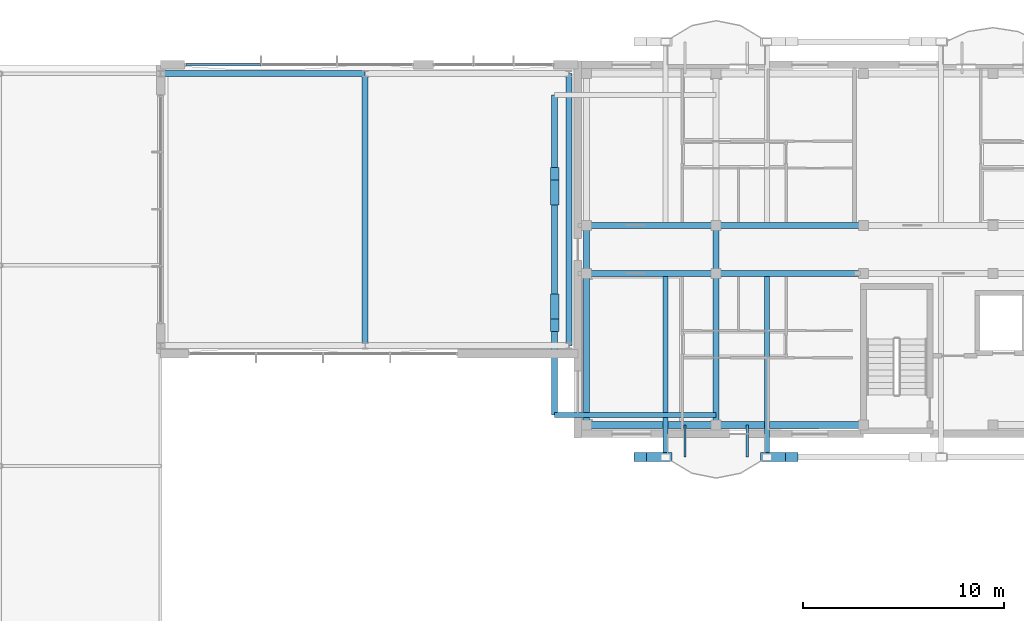
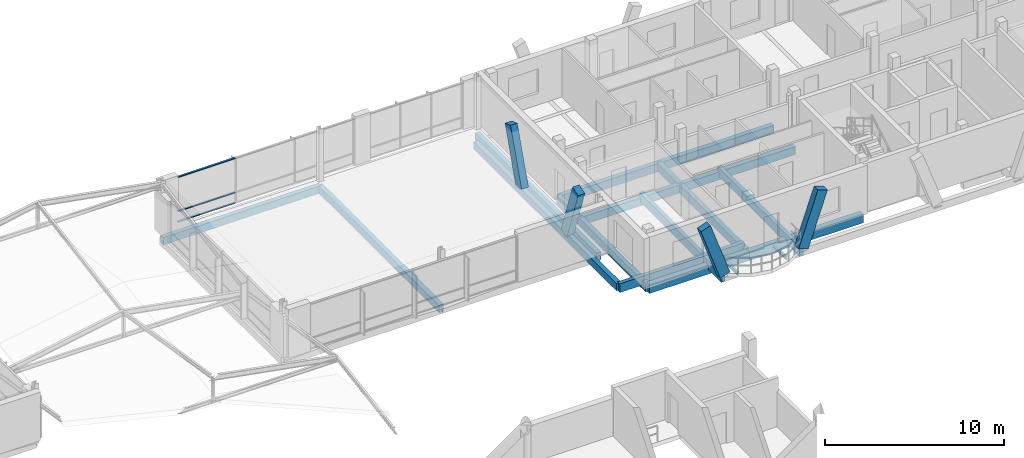
# One storey, part 103 of 189: 19 beams, 7 members, 1 element without a shape of its own.
"""IFC4 building model written with IfcOpenShell, lengths in metres."""

import ifcopenshell
import ifcopenshell.guid

model = None  # the IFC model being written
_history = None  # IfcOwnerHistory: only IFC2X3 demands one
_inside = {}  # id of a spatial element -> (the spatial element, [elements in it])
_under = {}  # id of a project, library or spatial element -> (it, [spatial elements below it])
_declared = {}  # id of a project -> (the project, [libraries it declares])
_typed = {}  # id of a type object -> (the type object, [elements of that type])
_made_of = {}  # id of a material, layer set ... -> (it, [elements and type objects made of it])


def new_model(schema):
    """Start an empty IFC model of exactly this schema.

    Asked for "IFC4X3", IfcOpenShell would pick the latest addendum, in which some entities
    have other attributes; the version numbers below select the first issue.
    IFC2X3 requires an IfcOwnerHistory on every rooted entity: one is made here for all.
    """
    global model, _history
    if schema == "IFC4X3":
        model = ifcopenshell.file(schema_version=(4, 3, 0, 0))
    else:
        model = ifcopenshell.file(schema=schema)
    _inside.clear()
    _under.clear()
    _declared.clear()
    _typed.clear()
    _made_of.clear()
    _history = None
    if model.schema == "IFC2X3":
        org = make("IfcOrganization", Name="unknown")
        user = make(
            "IfcPersonAndOrganization",
            ThePerson=make("IfcPerson", FamilyName="unknown"),
            TheOrganization=org,
        )
        app = make(
            "IfcApplication",
            ApplicationDeveloper=org,
            Version="unknown",
            ApplicationFullName="unknown",
            ApplicationIdentifier="unknown",
        )
        _history = make(
            "IfcOwnerHistory",
            OwningUser=user,
            OwningApplication=app,
            ChangeAction="ADDED",
            CreationDate=0,
        )
    return model


def make(cls, **values):
    """One entity of the class cls with the attributes given. An attribute that is None is left unset."""
    return model.create_entity(
        cls, **{name: value for name, value in values.items() if value is not None}
    )


def rooted(cls, **values):
    """An entity with a GlobalId (a new one), such as an element, a storey or a relation."""
    return make(cls, GlobalId=ifcopenshell.guid.new(), OwnerHistory=_history, **values)


def si_unit(unit_type, name, prefix=None):
    """IfcSIUnit, for example si_unit("LENGTHUNIT", "METRE", prefix="MILLI")."""
    return make("IfcSIUnit", UnitType=unit_type, Prefix=prefix, Name=name)


def assignment(units):
    """IfcUnitAssignment: the units of a project."""
    return None if units is None else make("IfcUnitAssignment", Units=units)


def point(xyz):
    """IfcCartesianPoint."""
    return None if xyz is None else make("IfcCartesianPoint", Coordinates=xyz)


def direction(xyz):
    """IfcDirection."""
    return None if xyz is None else make("IfcDirection", DirectionRatios=xyz)


def frame(location, z_axis=None, x_axis=None):
    """IfcAxis2Placement3D, a coordinate frame: its origin and axes. An axis left out is left unset."""
    return make(
        "IfcAxis2Placement3D",
        Location=point(location),
        Axis=direction(z_axis),
        RefDirection=direction(x_axis),
    )


def frame_2d(location, x_axis=None):
    """IfcAxis2Placement2D, a coordinate frame in the plane: its origin and x axis."""
    return make(
        "IfcAxis2Placement2D", Location=point(location), RefDirection=direction(x_axis)
    )


def origin():
    """The frame at (0, 0, 0) with its axes left unset."""
    return frame((0.0, 0.0, 0.0))


def origin_2d():
    """The frame at (0, 0) in the plane with its x axis left unset."""
    return frame_2d((0.0, 0.0))


def place(relative_to, where):
    """IfcLocalPlacement: puts the frame where relative to a parent placement (None: the world)."""
    return make(
        "IfcLocalPlacement", PlacementRelTo=relative_to, RelativePlacement=where
    )


def context(
    kind, dimensions, precision=None, world=None, true_north=None, identifier=None
):
    """IfcGeometricRepresentationContext, for example the 3D "Model" context."""
    return make(
        "IfcGeometricRepresentationContext",
        ContextIdentifier=identifier,
        ContextType=kind,
        CoordinateSpaceDimension=dimensions,
        Precision=precision,
        WorldCoordinateSystem=world,
        TrueNorth=true_north,
    )


def subcontext(parent, identifier, kind, view, scale=None):
    """IfcGeometricRepresentationSubContext, for example "Body" below "Model"."""
    return make(
        "IfcGeometricRepresentationSubContext",
        ContextIdentifier=identifier,
        ContextType=kind,
        ParentContext=parent,
        TargetScale=scale,
        TargetView=view,
    )


def project(units=None, contexts=None):
    """IfcProject with its units and contexts."""
    return rooted(
        "IfcProject",
        Name="project",
        RepresentationContexts=contexts,
        UnitsInContext=assignment(units),
    )


def spatial(cls, under=None, at=None, **own):
    """A site, building, storey or space (cls), placed at a placement, below another one or the project."""
    s = rooted(cls, ObjectPlacement=at, **own)
    if under is not None:
        _under.setdefault(under.id(), (under, []))[1].append(s)
    return s


def profile(cls, at=None, kind="AREA", **sizes):
    """A parametric profile (cls). Its sizes go by their IFC names, for example OverallWidth=200.0."""
    return make(cls, ProfileType=kind, Position=at, **sizes)


def rectangle(**sizes):
    """IfcRectangleProfileDef."""
    return profile("IfcRectangleProfileDef", **sizes)


def hollow_rectangle(**sizes):
    """IfcRectangleHollowProfileDef."""
    return profile("IfcRectangleHollowProfileDef", **sizes)


def i_section(**sizes):
    """IfcIShapeProfileDef."""
    return profile("IfcIShapeProfileDef", **sizes)


def extrude(swept, where, along, depth):
    """IfcExtrudedAreaSolid: the profile swept, set in the frame where, extruded along a direction by depth."""
    return make(
        "IfcExtrudedAreaSolid",
        SweptArea=swept,
        Position=where,
        ExtrudedDirection=direction(along),
        Depth=depth,
    )


def shape(context_of_items, identifier, shape_type, items):
    """IfcShapeRepresentation: the items that make up one representation, for example the "Body"."""
    return make(
        "IfcShapeRepresentation",
        ContextOfItems=context_of_items,
        RepresentationIdentifier=identifier,
        RepresentationType=shape_type,
        Items=items,
    )


def material(Name=None, Category=None):
    """IfcMaterial."""
    return make("IfcMaterial", Name=Name, Category=Category)


def material_profile(
    of_material, cross_section, Name=None, Category=None, Priority=None
):
    """IfcMaterialProfile: a cross section and its material."""
    return make(
        "IfcMaterialProfile",
        Name=Name,
        Material=of_material,
        Profile=cross_section,
        Priority=Priority,
        Category=Category,
    )


def profile_set(profiles, Name=None, composite=None):
    """IfcMaterialProfileSet."""
    return make(
        "IfcMaterialProfileSet",
        Name=Name,
        MaterialProfiles=profiles,
        CompositeProfile=composite,
    )


def made_of(thing, what):
    """Note that an element or type object is made of a material, layer set ...; save() writes the relation."""
    if what is not None:
        _made_of.setdefault(what.id(), (what, []))[1].append(thing)
    return thing


def type_object(cls, material=None, **own):
    """A type object (cls), such as IfcWallType, which elements share."""
    return made_of(rooted(cls, **own), material)


def element(
    cls,
    number,
    at=None,
    inside=None,
    cuts=None,
    type_object=None,
    material=None,
    context=None,
    identifier="Body",
    shape_type=None,
    held_by="IfcProductDefinitionShape",
    body=None,
    shapes=None,
    **own,
):
    """One element of the class cls, such as IfcWall. Its Tag is "e" and its number.

    at: its placement. inside: the storey or other place that contains it. cuts: it is an
    opening in that element (IfcRelVoidsElement). A single representation is given by context,
    identifier, shape_type and body (its items); several are given by shapes. held_by: the class
    of the entity that holds the representations. save() writes the other relations.
    """
    e = rooted(cls, Tag="e%d" % number, ObjectPlacement=at, **own)
    if body is not None:
        shapes = [shape(context, identifier, shape_type, body)]
    if shapes is not None:
        e.Representation = make(held_by, Representations=shapes)
    if inside is not None:
        _inside.setdefault(inside.id(), (inside, []))[1].append(e)
    if cuts is not None:
        rooted(
            "IfcRelVoidsElement", RelatingBuildingElement=cuts, RelatedOpeningElement=e
        )
    if type_object is not None:
        _typed.setdefault(type_object.id(), (type_object, []))[1].append(e)
    return made_of(e, material)


def aggregate(whole, parts):
    """IfcRelAggregates: a whole, such as a stair, and the parts it consists of."""
    return rooted("IfcRelAggregates", RelatingObject=whole, RelatedObjects=parts)


def save(model, path):
    """Write the relations noted so far, then the file.

    IfcRelAggregates (storeys below a building ...), IfcRelContainedInSpatialStructure (elements
    in a storey), IfcRelDefinesByType, IfcRelAssociatesMaterial and IfcRelDeclares: one each for
    every whole, place, type object, material and project.
    """
    for whole, parts in _under.values():
        aggregate(whole, parts)
    for where, things in _inside.values():
        rooted(
            "IfcRelContainedInSpatialStructure",
            RelatedElements=things,
            RelatingStructure=where,
        )
    for kind, things in _typed.values():
        rooted("IfcRelDefinesByType", RelatedObjects=things, RelatingType=kind)
    for what, things in _made_of.values():
        rooted("IfcRelAssociatesMaterial", RelatedObjects=things, RelatingMaterial=what)
    for by, libraries in _declared.values():
        rooted("IfcRelDeclares", RelatingContext=by, RelatedDefinitions=libraries)
    model.write(path)


model = new_model("IFC4")

# Units and contexts
model_context = context("Model", 3, precision=1e-05, world=origin(), true_north=direction((0.0, 1.0)))
body_context = subcontext(model_context, "Body", "Model", "MODEL_VIEW")
ifc_project = project(units=[si_unit("LENGTHUNIT", "METRE"), si_unit("AREAUNIT", "SQUARE_METRE"), si_unit("VOLUMEUNIT", "CUBIC_METRE"), si_unit("PLANEANGLEUNIT", "RADIAN"), si_unit("MASSUNIT", "GRAM", prefix="KILO")], contexts=[model_context])

# Site, building, storey
site_placement = place(None, origin())
site = spatial("IfcSite", under=ifc_project, at=site_placement, CompositionType="ELEMENT")
building_placement = place(site_placement, origin())
building = spatial("IfcBuilding", under=site, at=building_placement, Name="Zavelmont Quarter", CompositionType="ELEMENT")
storey_placement = place(building_placement, frame((0.0, 0.0, 4.39990234375)))
storey = spatial("IfcBuildingStorey", under=building, at=storey_placement, Name="L01", CompositionType="ELEMENT", Elevation=4.39990234375)

# Beams
ifc_material_1 = material(Name="Concrete C35/45", Category="concrete")
ifc_material_profile_1 = material_profile(ifc_material_1, rectangle(XDim=0.35009765625, YDim=0.60009765625, at=origin_2d()), Name="RC350X600")
ifc_profile_set_1 = profile_set([ifc_material_profile_1], Name="Concrete C35/45")
beam_type_1 = type_object("IfcBeamType", Name="BM01", PredefinedType="SPANDREL", material=ifc_profile_set_1)
beam_1_placement = place(storey_placement, frame((113.239990234375, 98.0400390625, -0.579833984375), z_axis=(1.0, 0.0, 0.0), x_axis=(0.0, 1.0, 0.0)))
element("IfcBeam", 1, at=beam_1_placement, inside=storey, type_object=beam_type_1, Name="L01 beam BM01 17/P to 18/P", PredefinedType="SPANDREL", context=body_context, shape_type="SweptSolid", body=[
    extrude(rectangle(XDim=0.35009765625, YDim=0.60009765625, at=origin_2d()), origin(), (0.0, 0.0, 1.0), 6.4599609375),
])
beam_2_placement = place(storey_placement, frame((119.699951171875, 98.0400390625, -0.579833984375), z_axis=(1.0, 0.0, 0.0), x_axis=(0.0, 1.0, 0.0)))
element("IfcBeam", 2, at=beam_2_placement, inside=storey, type_object=beam_type_1, Name="L01 beam BM01 18/P to 19/P", PredefinedType="SPANDREL", context=body_context, shape_type="SweptSolid", body=[
    extrude(rectangle(XDim=0.35009765625, YDim=0.60009765625, at=origin_2d()), origin(), (0.0, 0.0, 1.0), 7.340087890625),
])
ifc_material_profile_2 = material_profile(ifc_material_1, rectangle(XDim=0.300048828125, YDim=0.550048828125, at=origin_2d()), Name="RC300X550")
ifc_profile_set_2 = profile_set([ifc_material_profile_2], Name="Concrete C35/45")
beam_type_2 = type_object("IfcBeamType", Name="BM02", PredefinedType="SPANDREL", material=ifc_profile_set_2)
beam_3_placement = place(storey_placement, frame((113.239990234375, 105.60009765625, -0.554931640625), z_axis=(1.0, 0.0, 0.0), x_axis=(0.0, 1.0, 0.0)))
element("IfcBeam", 3, at=beam_3_placement, inside=storey, type_object=beam_type_2, Name="L01 beam BM02 17/Q to 18/Q", PredefinedType="SPANDREL", context=body_context, shape_type="SweptSolid", body=[
    extrude(rectangle(XDim=0.300048828125, YDim=0.550048828125, at=origin_2d()), origin(), (0.0, 0.0, 1.0), 6.4599609375),
])
beam_4_placement = place(storey_placement, frame((119.699951171875, 105.60009765625, -0.554931640625), z_axis=(1.0, 0.0, 0.0), x_axis=(0.0, 1.0, 0.0)))
element("IfcBeam", 4, at=beam_4_placement, inside=storey, type_object=beam_type_2, Name="L01 beam BM02 18/Q to 19/Q", PredefinedType="SPANDREL", context=body_context, shape_type="SweptSolid", body=[
    extrude(rectangle(XDim=0.300048828125, YDim=0.550048828125, at=origin_2d()), origin(), (0.0, 0.0, 1.0), 7.340087890625),
])
beam_5_placement = place(storey_placement, frame((113.239990234375, 108.0, -0.554931640625), z_axis=(1.0, 0.0, 0.0), x_axis=(0.0, 1.0, 0.0)))
element("IfcBeam", 5, at=beam_5_placement, inside=storey, type_object=beam_type_2, Name="L01 beam BM02 17/R to 18/R", PredefinedType="SPANDREL", context=body_context, shape_type="SweptSolid", body=[
    extrude(rectangle(XDim=0.300048828125, YDim=0.550048828125, at=origin_2d()), origin(), (0.0, 0.0, 1.0), 6.4599609375),
])
beam_6_placement = place(storey_placement, frame((119.699951171875, 108.0, -0.554931640625), z_axis=(1.0, 0.0, 0.0), x_axis=(0.0, 1.0, 0.0)))
element("IfcBeam", 6, at=beam_6_placement, inside=storey, type_object=beam_type_2, Name="L01 beam BM02 18/R to 19/R", PredefinedType="SPANDREL", context=body_context, shape_type="SweptSolid", body=[
    extrude(rectangle(XDim=0.300048828125, YDim=0.550048828125, at=origin_2d()), origin(), (0.0, 0.0, 1.0), 7.340087890625),
])
beam_7_placement = place(storey_placement, frame((113.239990234375, 98.0400390625, -0.554931640625), z_axis=(0.0, 1.0, 0.0), x_axis=(-1.0, 0.0, 0.0)))
element("IfcBeam", 7, at=beam_7_placement, inside=storey, type_object=beam_type_2, Name="L01 beam BM02 17/P to 17/Q", PredefinedType="SPANDREL", context=body_context, shape_type="SweptSolid", body=[
    extrude(rectangle(XDim=0.300048828125, YDim=0.550048828125, at=origin_2d()), origin(), (0.0, 0.0, 1.0), 7.56005859375),
])
beam_8_placement = place(storey_placement, frame((113.239990234375, 105.60009765625, -0.554931640625), z_axis=(0.0, 1.0, 0.0), x_axis=(-1.0, 0.0, 0.0)))
element("IfcBeam", 8, at=beam_8_placement, inside=storey, type_object=beam_type_2, Name="L01 beam BM02 17/Q to 17/R", PredefinedType="SPANDREL", context=body_context, shape_type="SweptSolid", body=[
    extrude(rectangle(XDim=0.300048828125, YDim=0.550048828125, at=origin_2d()), origin(), (0.0, 0.0, 1.0), 2.39990234375),
])
beam_9_placement = place(storey_placement, frame((119.699951171875, 98.0400390625, -0.554931640625), z_axis=(0.0, 1.0, 0.0), x_axis=(-1.0, 0.0, 0.0)))
element("IfcBeam", 9, at=beam_9_placement, inside=storey, type_object=beam_type_2, Name="L01 beam BM02 18/P to 18/Q", PredefinedType="SPANDREL", context=body_context, shape_type="SweptSolid", body=[
    extrude(rectangle(XDim=0.300048828125, YDim=0.550048828125, at=origin_2d()), origin(), (0.0, 0.0, 1.0), 7.56005859375),
])
beam_10_placement = place(storey_placement, frame((119.699951171875, 105.60009765625, -0.554931640625), z_axis=(0.0, 1.0, 0.0), x_axis=(-1.0, 0.0, 0.0)))
element("IfcBeam", 10, at=beam_10_placement, inside=storey, type_object=beam_type_2, Name="L01 beam BM02 18/Q to 18/R", PredefinedType="SPANDREL", context=body_context, shape_type="SweptSolid", body=[
    extrude(rectangle(XDim=0.300048828125, YDim=0.550048828125, at=origin_2d()), origin(), (0.0, 0.0, 1.0), 2.39990234375),
])
ifc_material_profile_3 = material_profile(ifc_material_1, rectangle(XDim=0.300048828125, YDim=0.5, at=origin_2d()), Name="RC300X500")
ifc_profile_set_3 = profile_set([ifc_material_profile_3], Name="Concrete C35/45")
beam_type_3 = type_object("IfcBeamType", Name="BM03", PredefinedType="BEAM", material=ifc_profile_set_3)
beam_11_placement = place(storey_placement, frame((92.0, 115.56005859375, -0.52978515625), z_axis=(1.0, 0.0, 0.0), x_axis=(0.0, 1.0, 0.0)))
element("IfcBeam", 11, at=beam_11_placement, inside=storey, type_object=beam_type_3, Name="L01 beam BM03 14/S to 16/S", PredefinedType="BEAM", context=body_context, shape_type="SweptSolid", body=[
    extrude(rectangle(XDim=0.300048828125, YDim=0.5, at=origin_2d()), origin(), (0.0, 0.0, 1.0), 10.199951171875),
])
for number, where, z_axis, x_axis, name in (
    (12, (102.199951171875, 102.0, -0.52978515625), (0.0, 1.0, 0.0), (-1.0, 0.0, 0.0), "L01 beam BM03 16/Q to 16/S"),
    (13, (112.360107421875, 102.0, -0.52978515625), (0.0, 1.0, 0.0), (-1.0, 0.0, 0.0), "L01 beam BM03 17/Q to 17/S"),
):
    element("IfcBeam", number, at=place(storey_placement, frame(where, z_axis=z_axis, x_axis=x_axis)), inside=storey, type_object=beam_type_3, Name=name, PredefinedType="BEAM", context=body_context, shape_type="SweptSolid", body=[
        extrude(rectangle(XDim=0.300048828125, YDim=0.5, at=origin_2d()), origin(), (0.0, 0.0, 1.0), 13.56005859375),
    ])
beam_12_placement = place(storey_placement, frame((111.64990234375, 98.550048828125, -0.25), z_axis=(0.0, 1.0, 0.0), x_axis=(-1.0, 0.0, 0.0)))
element("IfcBeam", 14, at=beam_12_placement, inside=storey, type_object=beam_type_3, Name="L01 beam BM03 17/P to 17/S", PredefinedType="BEAM", context=body_context, shape_type="SweptSolid", body=[
    extrude(rectangle(XDim=0.300048828125, YDim=0.5, at=origin_2d()), origin(), (0.0, 0.0, 1.0), 15.949951171875),
])
ifc_material_2 = material(Name="Steel S355", Category="steel")
ifc_material_profile_4 = material_profile(ifc_material_2, i_section(OverallWidth=0.110107421875, OverallDepth=0.219970703125, WebThickness=0.005859375, FlangeThickness=0.00927734375, at=origin_2d()), Name="IPE 220")
ifc_profile_set_4 = profile_set([ifc_material_profile_4], Name="Steel S355")
beam_type_4 = type_object("IfcBeamType", Name="BM15", PredefinedType="JOIST", material=ifc_profile_set_4)
for number, where, z_axis, x_axis, name in (
    (15, (118.14990234375, 98.0400390625, -0.391845703125), (0.0, -1.0, 0.0), (1.0, 0.0, 0.0), "L01 beam BM15 18/P to 18/P"),
    (16, (121.25, 98.0400390625, -0.391845703125), (0.0, -1.0, 0.0), (1.0, 0.0, 0.0), "L01 beam BM15 18/P to 18/P"),
):
    element("IfcBeam", number, at=place(storey_placement, frame(where, z_axis=z_axis, x_axis=x_axis)), inside=storey, type_object=beam_type_4, Name=name, PredefinedType="JOIST", context=body_context, shape_type="SweptSolid", body=[
        extrude(i_section(OverallWidth=0.110107421875, OverallDepth=0.219970703125, WebThickness=0.005859375, FlangeThickness=0.00927734375, at=origin_2d()), origin(), (0.0, 0.0, 1.0), 1.590087890625),
    ])
ifc_material_3 = material(Name="Concrete C40/50", Category="concrete")
ifc_material_profile_5 = material_profile(ifc_material_3, rectangle(XDim=0.25, YDim=0.60009765625, at=origin_2d()), Name="RC250X600")
ifc_profile_set_5 = profile_set([ifc_material_profile_5], Name="Concrete C40/50")
beam_type_5 = type_object("IfcBeamType", Name="BM18", PredefinedType="BEAM", material=ifc_profile_set_5)
for number, where, z_axis, x_axis, name in (
    (17, (117.17333984375, 105.60009765625, -0.2998046875), (0.0, -1.0, 0.0), (1.0, 0.0, 0.0), "L01 beam BM18 18/Q to 18/P"),
    (18, (122.2265625, 105.60009765625, -0.2998046875), (0.0, -1.0, 0.0), (1.0, 0.0, 0.0), "L01 beam BM18 18/Q to 18/P"),
):
    element("IfcBeam", number, at=place(storey_placement, frame(where, z_axis=z_axis, x_axis=x_axis)), inside=storey, type_object=beam_type_5, Name=name, PredefinedType="BEAM", context=body_context, shape_type="SweptSolid", body=[
        extrude(rectangle(XDim=0.25, YDim=0.60009765625, at=origin_2d()), origin(), (0.0, 0.0, 1.0), 9.150146484375),
    ])
beam_13_placement = place(storey_placement, frame((119.699951171875, 98.550048828125, -0.2998046875), z_axis=(-1.0, 0.0, 0.0), x_axis=(0.0, -1.0, 0.0)))
element("IfcBeam", 19, at=beam_13_placement, inside=storey, type_object=beam_type_5, Name="L01 beam BM18 18/P to 17/P", PredefinedType="BEAM", context=body_context, shape_type="SweptSolid", body=[
    extrude(rectangle(XDim=0.25, YDim=0.60009765625, at=origin_2d()), origin(), (0.0, 0.0, 1.0), 8.050048828125),
])

# Curtain wall, members
ifc_material_4 = material(Name="Thermally broken aluminium and double low-E safety glazing", Category="aluminium")
curtain_wall_type = type_object("IfcCurtainWallType", Name="CW-1140X310", PredefinedType="NOTDEFINED", material=ifc_material_4)
curtain_wall_placement = place(storey_placement, origin())
curtain_wall = element("IfcCurtainWall", 20, at=curtain_wall_placement, inside=storey, type_object=curtain_wall_type, Name="L01 unitised curtain wall CW-1140X310", PredefinedType="NOTDEFINED")
ifc_material_5 = material(Name="Powder-coated aluminium EN AW-6063-T6", Category="aluminium")
ifc_material_profile_6 = material_profile(ifc_material_5, hollow_rectangle(XDim=0.1201171875, YDim=0.06005859375, WallThickness=0.00390625, at=origin_2d()), Name="CWT60X120")
ifc_profile_set_6 = profile_set([ifc_material_profile_6], Name="Powder-coated aluminium EN AW-6063-T6")
member_type_1 = type_object("IfcMemberType", Name="CWT01", PredefinedType="NOTDEFINED", material=ifc_profile_set_6)
member_1_placement = place(storey_placement, frame((93.260009765625, 116.0, 0.030029296875), z_axis=(1.0, 0.0, 0.0), x_axis=(0.0, 1.0, 0.0)))
member_1 = element("IfcMember", 21, at=member_1_placement, type_object=member_type_1, Name="CW-1140X310 transom 1.1", ObjectType="TRANSOM", PredefinedType="USERDEFINED", context=body_context, shape_type="SweptSolid", body=[
    extrude(hollow_rectangle(XDim=0.1201171875, YDim=0.06005859375, WallThickness=0.00390625, at=origin_2d()), origin(), (0.0, 0.0, 1.0), 3.7099609375),
])
member_2_placement = place(storey_placement, frame((93.260009765625, 116.0, 0.744140625), z_axis=(1.0, 0.0, 0.0), x_axis=(0.0, 1.0, 0.0)))
member_2 = element("IfcMember", 22, at=member_2_placement, type_object=member_type_1, Name="CW-1140X310 transom 1.2", ObjectType="TRANSOM", PredefinedType="USERDEFINED", context=body_context, shape_type="SweptSolid", body=[
    extrude(hollow_rectangle(XDim=0.1201171875, YDim=0.06005859375, WallThickness=0.00390625, at=origin_2d()), origin(), (0.0, 0.0, 1.0), 3.7099609375),
])
member_3_placement = place(storey_placement, frame((93.260009765625, 116.0, 3.070068359375), z_axis=(1.0, 0.0, 0.0), x_axis=(0.0, 1.0, 0.0)))
member_3 = element("IfcMember", 23, at=member_3_placement, type_object=member_type_1, Name="CW-1140X310 transom 1.3", ObjectType="TRANSOM", PredefinedType="USERDEFINED", context=body_context, shape_type="SweptSolid", body=[
    extrude(hollow_rectangle(XDim=0.1201171875, YDim=0.06005859375, WallThickness=0.00390625, at=origin_2d()), origin(), (0.0, 0.0, 1.0), 3.7099609375),
])
aggregate(curtain_wall, [member_1, member_2, member_3])

# Members
ifc_material_6 = material(Name="White architectural precast concrete C40/50", Category="concrete")
ifc_material_profile_7 = material_profile(ifc_material_6, rectangle(XDim=0.43994140625, YDim=0.659912109375, at=origin_2d()), Name="PCR320X480")
ifc_profile_set_7 = profile_set([ifc_material_profile_7], Name="White architectural precast concrete C40/50")
member_type_2 = type_object("IfcMemberType", Name="VR01M", PredefinedType="CHORD", material=ifc_profile_set_7)
for number, where, z_axis, x_axis, name in (
    (24, (117.17333984375, 96.449951171875, 0.0), (-0.327431859499, 0.0, 0.944874794555), (0.0, -1.0, 0.0), "L01 member VR01M 18/P to 17/P"),
    (25, (122.2265625, 96.449951171875, 0.0), (0.327431859499, 0.0, 0.944874794555), (0.0, 1.0, 0.0), "L01 member VR01M 18/P to 19/P"),
    (26, (111.64990234375, 104.2734375, 0.0), (0.0, -0.327431859499, 0.944874794555), (1.0, 0.0, 0.0), "L01 member VR01M 17/Q to 17/Q"),
    (27, (111.64990234375, 109.32666015625, 0.0), (0.0, 0.327431859499, 0.944874794555), (-1.0, 0.0, 0.0), "L01 member VR01M 17/R to 17/R"),
):
    element("IfcMember", number, at=place(storey_placement, frame(where, z_axis=z_axis, x_axis=x_axis)), inside=storey, type_object=member_type_2, Name=name, PredefinedType="CHORD", context=body_context, shape_type="SweptSolid", body=[
        extrude(rectangle(XDim=0.43994140625, YDim=0.659912109375, at=origin_2d()), origin(), (0.0, 0.0, 1.0), 3.81005859375),
    ])

save(model, "model.ifc")
